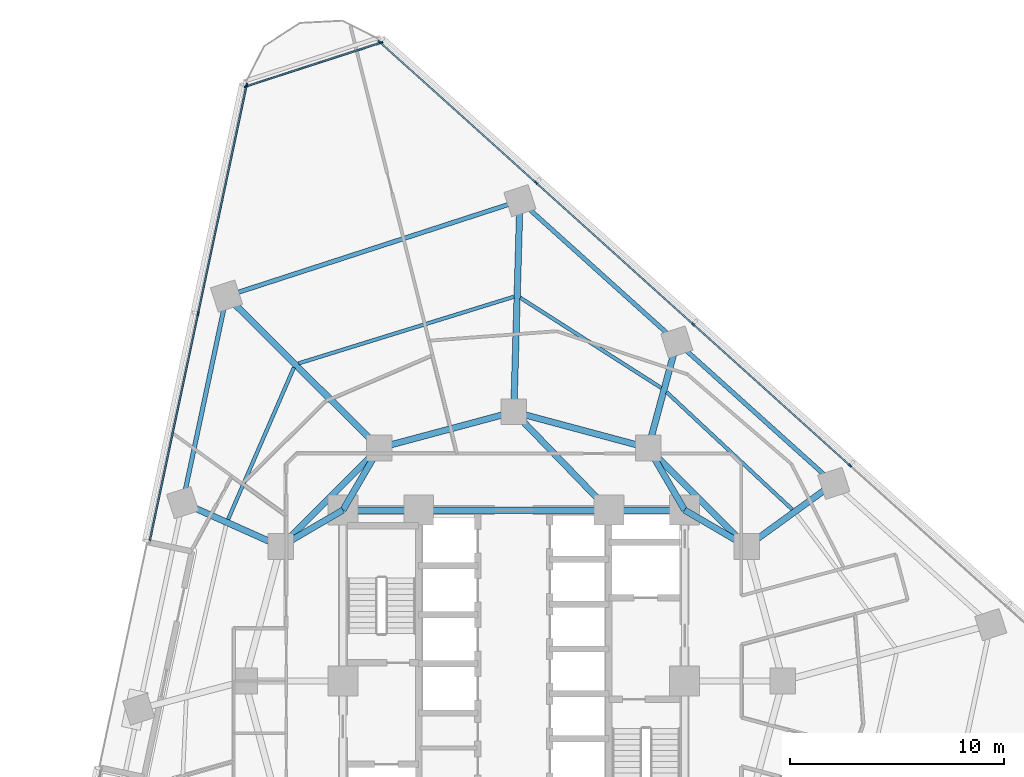
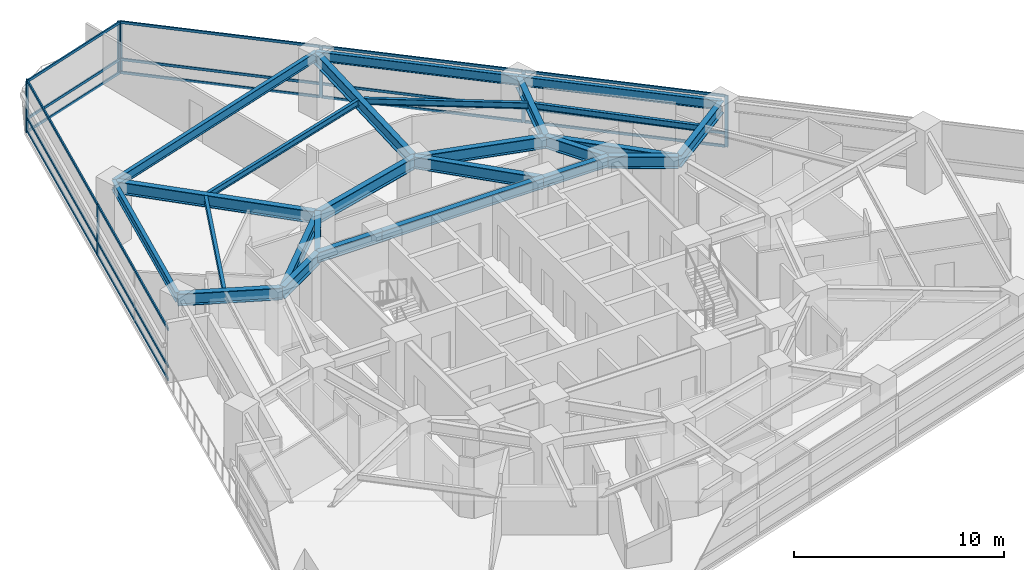
# One storey, part 5 of 14: 26 members, 25 beams, 3 elements without a shape of their own.
"""IFC4 building model written with IfcOpenShell, lengths in metres."""

from ifc_helpers import new_model, si_unit, direction, frame, origin, origin_2d, place, context, subcontext, project, spatial, rectangle, i_section, extrude, material, layer, layer_set, material_profile, profile_set, type_object, element, aggregate, save


model = new_model("IFC4")

# Units and contexts
model_context = context("Model", 3, precision=1e-05, world=origin(), true_north=direction((0.0, 1.0)))
body_context = subcontext(model_context, "Body", "Model", "MODEL_VIEW")
ifc_project = project(units=[si_unit("LENGTHUNIT", "METRE"), si_unit("AREAUNIT", "SQUARE_METRE"), si_unit("VOLUMEUNIT", "CUBIC_METRE"), si_unit("PLANEANGLEUNIT", "RADIAN"), si_unit("MASSUNIT", "GRAM", prefix="KILO")], contexts=[model_context])

# Site, building, storey
site_placement = place(None, origin())
site = spatial("IfcSite", under=ifc_project, at=site_placement, CompositionType="ELEMENT")
building_placement = place(site_placement, origin())
building = spatial("IfcBuilding", under=site, at=building_placement, Name="Terralouvre Media Tower", CompositionType="ELEMENT")
storey_placement = place(building_placement, frame((0.0, 0.0, 112.5)))
storey = spatial("IfcBuildingStorey", under=building, at=storey_placement, Name="L28", CompositionType="ELEMENT", Elevation=112.5)

# Beams
ifc_material_1 = material(Name="Structural steel S355J2", Category="steel")
ifc_material_profile_1 = material_profile(ifc_material_1, i_section(OverallWidth=0.169921875, OverallDepth=0.360107421875, WebThickness=0.008056640625, FlangeThickness=0.0126953125, at=origin_2d()), Name="IPE 360")
ifc_profile_set_1 = profile_set([ifc_material_profile_1], Name="Structural steel S355J2")
beam_type_1 = type_object("IfcBeamType", Name="Composite Floor Joist J-IPE360 (IPE 360)", PredefinedType="JOIST", material=ifc_profile_set_1)
beam_1_placement = place(storey_placement, frame((13.041259765625, 8.02685546875, 3.320068359375), z_axis=(-0.730741620607, 0.682654146631, 0.0), x_axis=(-0.682654146631, -0.730741620607, 0.0)))
element("IfcBeam", 1, at=beam_1_placement, inside=storey, type_object=beam_type_1, Name="L28 Framing Beam JT-L28-08", PredefinedType="JOIST", context=body_context, shape_type="SweptSolid", body=[
    extrude(i_section(OverallWidth=0.169921875, OverallDepth=0.360107421875, WebThickness=0.008056640625, FlangeThickness=0.0126953125, at=origin_2d()), origin(), (0.0, 0.0, 1.0), 8.05224609375),
])
beam_2_placement = place(storey_placement, frame((6.90380859375, 13.721923828125, 3.320068359375), z_axis=(-0.842395313358, 0.538860033805, 0.0), x_axis=(-0.538860033805, -0.842395313358, 0.0)))
element("IfcBeam", 2, at=beam_2_placement, inside=storey, type_object=beam_type_1, Name="L28 Framing Beam JT-L28-09", PredefinedType="JOIST", context=body_context, shape_type="SweptSolid", body=[
    extrude(i_section(OverallWidth=0.169921875, OverallDepth=0.360107421875, WebThickness=0.008056640625, FlangeThickness=0.0126953125, at=origin_2d()), origin(), (0.0, 0.0, 1.0), 7.8349609375),
])
beam_3_placement = place(storey_placement, frame((0.008544921875, 17.99072265625, 3.320068359375), z_axis=(-0.955322607301, -0.295565079095, 0.0), x_axis=(0.295565079095, -0.955322607301, 0.0)))
element("IfcBeam", 3, at=beam_3_placement, inside=storey, type_object=beam_type_1, Name="L28 Framing Beam JT-L28-10", PredefinedType="JOIST", context=body_context, shape_type="SweptSolid", body=[
    extrude(i_section(OverallWidth=0.169921875, OverallDepth=0.360107421875, WebThickness=0.008056640625, FlangeThickness=0.0126953125, at=origin_2d()), origin(), (0.0, 0.0, 1.0), 10.551513671875),
])
beam_4_placement = place(storey_placement, frame((-10.295166015625, 14.676513671875, 3.320068359375), z_axis=(-0.3977895236, -0.91747669993, 0.0), x_axis=(0.91747669993, -0.3977895236, 0.0)))
element("IfcBeam", 4, at=beam_4_placement, inside=storey, type_object=beam_type_1, Name="L28 Framing Beam JT-L28-11", PredefinedType="JOIST", context=body_context, shape_type="SweptSolid", body=[
    extrude(i_section(OverallWidth=0.169921875, OverallDepth=0.360107421875, WebThickness=0.008056640625, FlangeThickness=0.0126953125, at=origin_2d()), origin(), (0.0, 0.0, 1.0), 7.7509765625),
])

# Curtain wall, members
ifc_material_2 = material(Name="Low-iron laminated double glazing with solar-control coating", Category="glass")
ifc_layer_1 = layer(ifc_material_2, 0.1650390625, Name="Lower Media Tower Unitised Curtain Wall CW-02")
ifc_layer_set_1 = layer_set([ifc_layer_1], Name="Low-iron laminated double glazing with solar-control coating")
curtain_wall_type_1 = type_object("IfcCurtainWallType", Name="Lower Media Tower Unitised Curtain Wall CW-02", PredefinedType="NOTDEFINED", material=ifc_layer_set_1)
curtain_wall_1_placement = place(storey_placement, origin())
curtain_wall_1 = element("IfcCurtainWall", 5, at=curtain_wall_1_placement, inside=storey, type_object=curtain_wall_type_1, Name="L28 Facade Curtain Wall F1", PredefinedType="NOTDEFINED")
ifc_material_3 = material(Name="Anodised extruded aluminium 6063-T6", Category="aluminium")
ifc_material_profile_2 = material_profile(ifc_material_3, rectangle(XDim=0.074951171875, YDim=0.14990234375, at=origin_2d()), Name="ALU 75x150")
ifc_profile_set_2 = profile_set([ifc_material_profile_2], Name="Anodised extruded aluminium 6063-T6")
member_type_1 = type_object("IfcMemberType", Name="Curtain-Wall Horizontal Transom TR-150", PredefinedType="USERDEFINED", material=ifc_profile_set_2)
member_1_placement = place(storey_placement, frame((15.712158203125, 10.117431640625, 0.03759765625), z_axis=(-0.743145676677, 0.669129661005, 0.0), x_axis=(-0.669129661005, -0.743145676677, 0.0)))
member_1 = element("IfcMember", 6, at=member_1_placement, type_object=member_type_1, Name="CW-02 transom 3.1", ObjectType="TRANSOM", PredefinedType="USERDEFINED", context=body_context, shape_type="SweptSolid", body=[
    extrude(rectangle(XDim=0.074951171875, YDim=0.14990234375, at=origin_2d()), origin(), (0.0, 0.0, 1.0), 9.81298828125),
])
member_2_placement = place(storey_placement, frame((15.712158203125, 10.117431640625, 0.800048828125), z_axis=(-0.743145676677, 0.669129661005, 0.0), x_axis=(-0.669129661005, -0.743145676677, 0.0)))
member_2 = element("IfcMember", 7, at=member_2_placement, type_object=member_type_1, Name="CW-02 transom 3.2", ObjectType="TRANSOM", PredefinedType="USERDEFINED", context=body_context, shape_type="SweptSolid", body=[
    extrude(rectangle(XDim=0.074951171875, YDim=0.14990234375, at=origin_2d()), origin(), (0.0, 0.0, 1.0), 9.81298828125),
])
member_3_placement = place(storey_placement, frame((15.712158203125, 10.117431640625, 2.96240234375), z_axis=(-0.743145676677, 0.669129661005, 0.0), x_axis=(-0.669129661005, -0.743145676677, 0.0)))
member_3 = element("IfcMember", 8, at=member_3_placement, type_object=member_type_1, Name="CW-02 transom 3.3", ObjectType="TRANSOM", PredefinedType="USERDEFINED", context=body_context, shape_type="SweptSolid", body=[
    extrude(rectangle(XDim=0.074951171875, YDim=0.14990234375, at=origin_2d()), origin(), (0.0, 0.0, 1.0), 9.81298828125),
])
member_4_placement = place(storey_placement, frame((8.36376953125, 16.733642578125, 0.03759765625), z_axis=(-0.743145676677, 0.669129661005, 0.0), x_axis=(-0.669129661005, -0.743145676677, 0.0)))
member_4 = element("IfcMember", 9, at=member_4_placement, type_object=member_type_1, Name="CW-02 transom 4.1", ObjectType="TRANSOM", PredefinedType="USERDEFINED", context=body_context, shape_type="SweptSolid", body=[
    extrude(rectangle(XDim=0.074951171875, YDim=0.14990234375, at=origin_2d()), origin(), (0.0, 0.0, 1.0), 9.81298828125),
])
member_5_placement = place(storey_placement, frame((8.36376953125, 16.733642578125, 0.800048828125), z_axis=(-0.743145676677, 0.669129661005, 0.0), x_axis=(-0.669129661005, -0.743145676677, 0.0)))
member_5 = element("IfcMember", 10, at=member_5_placement, type_object=member_type_1, Name="CW-02 transom 4.2", ObjectType="TRANSOM", PredefinedType="USERDEFINED", context=body_context, shape_type="SweptSolid", body=[
    extrude(rectangle(XDim=0.074951171875, YDim=0.14990234375, at=origin_2d()), origin(), (0.0, 0.0, 1.0), 9.81298828125),
])
member_6_placement = place(storey_placement, frame((8.36376953125, 16.733642578125, 2.96240234375), z_axis=(-0.743145676677, 0.669129661005, 0.0), x_axis=(-0.669129661005, -0.743145676677, 0.0)))
member_6 = element("IfcMember", 11, at=member_6_placement, type_object=member_type_1, Name="CW-02 transom 4.3", ObjectType="TRANSOM", PredefinedType="USERDEFINED", context=body_context, shape_type="SweptSolid", body=[
    extrude(rectangle(XDim=0.074951171875, YDim=0.14990234375, at=origin_2d()), origin(), (0.0, 0.0, 1.0), 9.81298828125),
])
member_7_placement = place(storey_placement, frame((1.015625, 23.35009765625, 0.03759765625), z_axis=(-0.743150075485, 0.669124775588, 0.0), x_axis=(-0.669124775588, -0.743150075485, 0.0)))
member_7 = element("IfcMember", 12, at=member_7_placement, type_object=member_type_1, Name="CW-02 transom 5.1", ObjectType="TRANSOM", PredefinedType="USERDEFINED", context=body_context, shape_type="SweptSolid", body=[
    extrude(rectangle(XDim=0.074951171875, YDim=0.14990234375, at=origin_2d()), origin(), (0.0, 0.0, 1.0), 9.775390625),
])
member_8_placement = place(storey_placement, frame((1.015625, 23.35009765625, 0.800048828125), z_axis=(-0.743150075485, 0.669124775588, 0.0), x_axis=(-0.669124775588, -0.743150075485, 0.0)))
member_8 = element("IfcMember", 13, at=member_8_placement, type_object=member_type_1, Name="CW-02 transom 5.2", ObjectType="TRANSOM", PredefinedType="USERDEFINED", context=body_context, shape_type="SweptSolid", body=[
    extrude(rectangle(XDim=0.074951171875, YDim=0.14990234375, at=origin_2d()), origin(), (0.0, 0.0, 1.0), 9.775390625),
])
member_9_placement = place(storey_placement, frame((1.015625, 23.35009765625, 2.96240234375), z_axis=(-0.743150075485, 0.669124775588, 0.0), x_axis=(-0.669124775588, -0.743150075485, 0.0)))
member_9 = element("IfcMember", 14, at=member_9_placement, type_object=member_type_1, Name="CW-02 transom 5.3", ObjectType="TRANSOM", PredefinedType="USERDEFINED", context=body_context, shape_type="SweptSolid", body=[
    extrude(rectangle(XDim=0.074951171875, YDim=0.14990234375, at=origin_2d()), origin(), (0.0, 0.0, 1.0), 9.775390625),
])

curtain_wall_2_placement = place(storey_placement, origin())
curtain_wall_2 = element("IfcCurtainWall", 15, at=curtain_wall_2_placement, inside=storey, type_object=curtain_wall_type_1, Name="L28 Left Flank Curtain Wall F2", PredefinedType="NOTDEFINED")
member_10_placement = place(storey_placement, frame((-12.51416015625, 27.85546875, 0.03759765625), z_axis=(-0.207896441049, -0.978150842048, 0.0), x_axis=(0.978150842048, -0.207896441049, 0.0)))
member_10 = element("IfcMember", 16, at=member_10_placement, type_object=member_type_1, Name="CW-02 transom 1.1", ObjectType="TRANSOM", PredefinedType="USERDEFINED", context=body_context, shape_type="SweptSolid", body=[
    extrude(rectangle(XDim=0.074951171875, YDim=0.14990234375, at=origin_2d()), origin(), (0.0, 0.0, 1.0), 10.847412109375),
])
member_11_placement = place(storey_placement, frame((-12.51416015625, 27.85546875, 0.800048828125), z_axis=(-0.207896441049, -0.978150842048, 0.0), x_axis=(0.978150842048, -0.207896441049, 0.0)))
member_11 = element("IfcMember", 17, at=member_11_placement, type_object=member_type_1, Name="CW-02 transom 1.2", ObjectType="TRANSOM", PredefinedType="USERDEFINED", context=body_context, shape_type="SweptSolid", body=[
    extrude(rectangle(XDim=0.074951171875, YDim=0.14990234375, at=origin_2d()), origin(), (0.0, 0.0, 1.0), 10.847412109375),
])
member_12_placement = place(storey_placement, frame((-12.51416015625, 27.85546875, 2.96240234375), z_axis=(-0.207896441049, -0.978150842048, 0.0), x_axis=(0.978150842048, -0.207896441049, 0.0)))
member_12 = element("IfcMember", 18, at=member_12_placement, type_object=member_type_1, Name="CW-02 transom 1.3", ObjectType="TRANSOM", PredefinedType="USERDEFINED", context=body_context, shape_type="SweptSolid", body=[
    extrude(rectangle(XDim=0.074951171875, YDim=0.14990234375, at=origin_2d()), origin(), (0.0, 0.0, 1.0), 10.847412109375),
])
member_13_placement = place(storey_placement, frame((-14.784912109375, 17.171630859375, 0.03759765625), z_axis=(-0.20791797505, -0.978146264958, 0.0), x_axis=(0.978146264958, -0.20791797505, 0.0)))
member_13 = element("IfcMember", 19, at=member_13_placement, type_object=member_type_1, Name="CW-02 transom 2.1", ObjectType="TRANSOM", PredefinedType="USERDEFINED", context=body_context, shape_type="SweptSolid", body=[
    extrude(rectangle(XDim=0.074951171875, YDim=0.14990234375, at=origin_2d()), origin(), (0.0, 0.0, 1.0), 10.847412109375),
])
member_14_placement = place(storey_placement, frame((-14.784912109375, 17.171630859375, 0.800048828125), z_axis=(-0.20791797505, -0.978146264958, 0.0), x_axis=(0.978146264958, -0.20791797505, 0.0)))
member_14 = element("IfcMember", 20, at=member_14_placement, type_object=member_type_1, Name="CW-02 transom 2.2", ObjectType="TRANSOM", PredefinedType="USERDEFINED", context=body_context, shape_type="SweptSolid", body=[
    extrude(rectangle(XDim=0.074951171875, YDim=0.14990234375, at=origin_2d()), origin(), (0.0, 0.0, 1.0), 10.847412109375),
])
member_15_placement = place(storey_placement, frame((-14.784912109375, 17.171630859375, 2.96240234375), z_axis=(-0.20791797505, -0.978146264958, 0.0), x_axis=(0.978146264958, -0.20791797505, 0.0)))
member_15 = element("IfcMember", 21, at=member_15_placement, type_object=member_type_1, Name="CW-02 transom 2.3", ObjectType="TRANSOM", PredefinedType="USERDEFINED", context=body_context, shape_type="SweptSolid", body=[
    extrude(rectangle(XDim=0.074951171875, YDim=0.14990234375, at=origin_2d()), origin(), (0.0, 0.0, 1.0), 10.847412109375),
])

ifc_material_4 = material(Name="Low-iron laminated double glazing with solar-control coating", Category="glass")
ifc_layer_2 = layer(ifc_material_4, 0.1650390625, Name="Rounded Wind-Corner Curved Glazing CW-04")
ifc_layer_set_2 = layer_set([ifc_layer_2], Name="Low-iron laminated double glazing with solar-control coating")
curtain_wall_type_2 = type_object("IfcCurtainWallType", Name="Rounded Wind-Corner Curved Glazing CW-04", PredefinedType="NOTDEFINED", material=ifc_layer_set_2)
curtain_wall_3_placement = place(storey_placement, origin())
curtain_wall_3 = element("IfcCurtainWall", 22, at=curtain_wall_3_placement, inside=storey, type_object=curtain_wall_type_2, Name="L28 Rounded Wind-Corner Curtain Wall C2", PredefinedType="NOTDEFINED")
member_16_placement = place(storey_placement, frame((-6.25244140625, 29.874267578125, 0.03759765625), z_axis=(-0.951049086089, -0.309039861262, 0.0), x_axis=(0.309039861262, -0.951049086089, 0.0)))
member_16 = element("IfcMember", 23, at=member_16_placement, type_object=member_type_1, Name="CW-04 transom 1.1", ObjectType="TRANSOM", PredefinedType="USERDEFINED", context=body_context, shape_type="SweptSolid", body=[
    extrude(rectangle(XDim=0.074951171875, YDim=0.14990234375, at=origin_2d()), origin(), (0.0, 0.0, 1.0), 6.5703125),
])
member_17_placement = place(storey_placement, frame((-6.25244140625, 29.874267578125, 0.800048828125), z_axis=(-0.951049086089, -0.309039861262, 0.0), x_axis=(0.309039861262, -0.951049086089, 0.0)))
member_17 = element("IfcMember", 24, at=member_17_placement, type_object=member_type_1, Name="CW-04 transom 1.2", ObjectType="TRANSOM", PredefinedType="USERDEFINED", context=body_context, shape_type="SweptSolid", body=[
    extrude(rectangle(XDim=0.074951171875, YDim=0.14990234375, at=origin_2d()), origin(), (0.0, 0.0, 1.0), 6.5703125),
])
member_18_placement = place(storey_placement, frame((-6.25244140625, 29.874267578125, 2.96240234375), z_axis=(-0.951049086089, -0.309039861262, 0.0), x_axis=(0.309039861262, -0.951049086089, 0.0)))
member_18 = element("IfcMember", 25, at=member_18_placement, type_object=member_type_1, Name="CW-04 transom 1.3", ObjectType="TRANSOM", PredefinedType="USERDEFINED", context=body_context, shape_type="SweptSolid", body=[
    extrude(rectangle(XDim=0.074951171875, YDim=0.14990234375, at=origin_2d()), origin(), (0.0, 0.0, 1.0), 6.5703125),
])

# Member
ifc_material_5 = material(Name="Anodised extruded aluminium 6063-T6", Category="aluminium")
ifc_material_profile_3 = material_profile(ifc_material_5, rectangle(XDim=0.074951171875, YDim=0.179931640625, at=origin_2d()), Name="ALU 75x180")
ifc_profile_set_3 = profile_set([ifc_material_profile_3], Name="Anodised extruded aluminium 6063-T6")
member_type_2 = type_object("IfcMemberType", Name="Curtain-Wall Vertical Mullion ML-180", PredefinedType="MULLION", material=ifc_profile_set_3)
member_19_placement = place(storey_placement, frame((15.739990234375, 10.09228515625, 0.0), z_axis=(0.0, 0.0, 1.0), x_axis=(-0.669130639602, -0.743144795545, 0.0)))
member_19 = element("IfcMember", 26, at=member_19_placement, type_object=member_type_2, Name="CW-02 mullion 3", PredefinedType="MULLION", context=body_context, shape_type="SweptSolid", body=[
    extrude(rectangle(XDim=0.074951171875, YDim=0.179931640625, at=origin_2d()), origin(), (0.0, 0.0, 1.0), 3.0),
])

member_20_placement = place(storey_placement, frame((8.3916015625, 16.708740234375, 0.0), z_axis=(0.0, 0.0, 1.0), x_axis=(-0.669130639602, -0.743144795545, 0.0)))
member_20 = element("IfcMember", 27, at=member_20_placement, type_object=member_type_2, Name="CW-02 mullion 4", PredefinedType="MULLION", context=body_context, shape_type="SweptSolid", body=[
    extrude(rectangle(XDim=0.074951171875, YDim=0.179931640625, at=origin_2d()), origin(), (0.0, 0.0, 1.0), 3.0),
])

member_21_placement = place(storey_placement, frame((1.04345703125, 23.324951171875, 0.0), z_axis=(0.0, 0.0, 1.0), x_axis=(-0.669130639602, -0.743144795545, 0.0)))
member_21 = element("IfcMember", 28, at=member_21_placement, type_object=member_type_2, Name="CW-02 mullion 5", PredefinedType="MULLION", context=body_context, shape_type="SweptSolid", body=[
    extrude(rectangle(XDim=0.074951171875, YDim=0.179931640625, at=origin_2d()), origin(), (0.0, 0.0, 1.0), 3.0),
])

member_22_placement = place(storey_placement, frame((-6.27685546875, 29.916259765625, 0.0), z_axis=(0.0, 0.0, 1.0), x_axis=(-0.669130639602, -0.743144795545, 0.0)))
member_22 = element("IfcMember", 29, at=member_22_placement, type_object=member_type_2, Name="CW-02 mullion 6", PredefinedType="MULLION", context=body_context, shape_type="SweptSolid", body=[
    extrude(rectangle(XDim=0.074951171875, YDim=0.179931640625, at=origin_2d()), origin(), (0.0, 0.0, 1.0), 3.0),
])

aggregate(curtain_wall_1, [member_19, member_20, member_21, member_22, member_1, member_2, member_3, member_4, member_5, member_6, member_7, member_8, member_9])

member_23_placement = place(storey_placement, frame((-12.50634765625, 27.89208984375, 0.0), z_axis=(0.0, 0.0, 1.0), x_axis=(0.978147556561, -0.207911898634, 0.0)))
member_23 = element("IfcMember", 30, at=member_23_placement, type_object=member_type_2, Name="CW-02 mullion 1", PredefinedType="MULLION", context=body_context, shape_type="SweptSolid", body=[
    extrude(rectangle(XDim=0.074951171875, YDim=0.179931640625, at=origin_2d()), origin(), (0.0, 0.0, 1.0), 3.0),
])

member_24_placement = place(storey_placement, frame((-14.777099609375, 17.20849609375, 0.0), z_axis=(0.0, 0.0, 1.0), x_axis=(0.978147556561, -0.207911898634, 0.0)))
member_24 = element("IfcMember", 31, at=member_24_placement, type_object=member_type_2, Name="CW-02 mullion 2", PredefinedType="MULLION", context=body_context, shape_type="SweptSolid", body=[
    extrude(rectangle(XDim=0.074951171875, YDim=0.179931640625, at=origin_2d()), origin(), (0.0, 0.0, 1.0), 3.0),
])

aggregate(curtain_wall_2, [member_23, member_24, member_10, member_11, member_12, member_13, member_14, member_15])

member_25_placement = place(storey_placement, frame((-6.216796875, 29.8857421875, 0.0), z_axis=(0.0, 0.0, 1.0), x_axis=(0.309017701894, -0.951056286408, 0.0)))
member_25 = element("IfcMember", 32, at=member_25_placement, type_object=member_type_2, Name="CW-04 mullion 1", PredefinedType="MULLION", context=body_context, shape_type="SweptSolid", body=[
    extrude(rectangle(XDim=0.074951171875, YDim=0.179931640625, at=origin_2d()), origin(), (0.0, 0.0, 1.0), 3.0),
])

member_26_placement = place(storey_placement, frame((-12.536865234375, 27.832275390625, 0.0), z_axis=(0.0, 0.0, 1.0), x_axis=(0.309017701894, -0.951056286408, 0.0)))
member_26 = element("IfcMember", 33, at=member_26_placement, type_object=member_type_2, Name="CW-04 mullion 2", PredefinedType="MULLION", context=body_context, shape_type="SweptSolid", body=[
    extrude(rectangle(XDim=0.074951171875, YDim=0.179931640625, at=origin_2d()), origin(), (0.0, 0.0, 1.0), 3.0),
])

aggregate(curtain_wall_3, [member_25, member_26, member_16, member_17, member_18])

# Beams
ifc_material_6 = material(Name="Structural steel S355J2", Category="steel")
ifc_material_profile_4 = material_profile(ifc_material_6, i_section(OverallWidth=0.2099609375, OverallDepth=0.550048828125, WebThickness=0.010986328125, FlangeThickness=0.01708984375, at=origin_2d()), Name="IPE 550")
ifc_profile_set_4 = profile_set([ifc_material_profile_4], Name="Structural steel S355J2")
beam_type_2 = type_object("IfcBeamType", Name="Perimeter Spandrel Beam SPB-550 (IPE 550)", PredefinedType="SPANDREL", material=ifc_profile_set_4)
beam_5_placement = place(storey_placement, frame((14.98388671875, 9.25244140625, 3.22509765625), z_axis=(-0.743148033922, 0.669127043002, 0.0), x_axis=(-0.669127043002, -0.743148033922, 0.0)))
element("IfcBeam", 34, at=beam_5_placement, inside=storey, type_object=beam_type_2, Name="L28 Framing Beam BM-L28-PR08", PredefinedType="SPANDREL", context=body_context, shape_type="SweptSolid", body=[
    extrude(i_section(OverallWidth=0.2099609375, OverallDepth=0.550048828125, WebThickness=0.010986328125, FlangeThickness=0.01708984375, at=origin_2d()), origin(), (0.0, 0.0, 1.0), 9.88818359375),
])
beam_6_placement = place(storey_placement, frame((7.635498046875, 15.868896484375, 3.22509765625), z_axis=(-0.743136979084, 0.669139320558, 0.0), x_axis=(-0.669139320558, -0.743136979084, 0.0)))
element("IfcBeam", 35, at=beam_6_placement, inside=storey, type_object=beam_type_2, Name="L28 Framing Beam BM-L28-PR09", PredefinedType="SPANDREL", context=body_context, shape_type="SweptSolid", body=[
    extrude(i_section(OverallWidth=0.2099609375, OverallDepth=0.550048828125, WebThickness=0.010986328125, FlangeThickness=0.01708984375, at=origin_2d()), origin(), (0.0, 0.0, 1.0), 9.887939453125),
])
beam_7_placement = place(storey_placement, frame((0.287353515625, 22.4853515625, 3.22509765625), z_axis=(-0.951052948313, -0.309027975278, 0.0), x_axis=(0.309027975278, -0.951052948313, 0.0)))
element("IfcBeam", 36, at=beam_7_placement, inside=storey, type_object=beam_type_2, Name="L28 Framing Beam BM-L28-PR10", PredefinedType="SPANDREL", context=body_context, shape_type="SweptSolid", body=[
    extrude(i_section(OverallWidth=0.2099609375, OverallDepth=0.550048828125, WebThickness=0.010986328125, FlangeThickness=0.01708984375, at=origin_2d()), origin(), (0.0, 0.0, 1.0), 14.443359375),
])
beam_8_placement = place(storey_placement, frame((-13.448974609375, 18.02197265625, 3.22509765625), z_axis=(-0.207920177572, -0.97814579678, 0.0), x_axis=(0.97814579678, -0.207920177572, 0.0)))
element("IfcBeam", 37, at=beam_8_placement, inside=storey, type_object=beam_type_2, Name="L28 Framing Beam BM-L28-PR11", PredefinedType="SPANDREL", context=body_context, shape_type="SweptSolid", body=[
    extrude(i_section(OverallWidth=0.2099609375, OverallDepth=0.550048828125, WebThickness=0.010986328125, FlangeThickness=0.01708984375, at=origin_2d()), origin(), (0.0, 0.0, 1.0), 9.887939453125),
])
ifc_material_7 = material(Name="Structural steel S460M", Category="steel")
ifc_material_profile_5 = material_profile(ifc_material_7, i_section(OverallWidth=0.300048828125, OverallDepth=0.60009765625, WebThickness=0.015380859375, FlangeThickness=0.030029296875, at=origin_2d()), Name="HEB 600")
ifc_profile_set_5 = profile_set([ifc_material_profile_5], Name="Structural steel S460M")
beam_type_3 = type_object("IfcBeamType", Name="Primary Floor Girder B-HEB600 (HEB 600)", PredefinedType="BEAM", material=ifc_profile_set_5)
beam_9_placement = place(storey_placement, frame((8.0, 8.0, 3.199951171875), z_axis=(-1.0, 0.0, 0.0), x_axis=(0.0, -1.0, 0.0)))
element("IfcBeam", 38, at=beam_9_placement, inside=storey, type_object=beam_type_3, Name="L28 Framing Beam BM-L28-CPR06", PredefinedType="BEAM", context=body_context, shape_type="SweptSolid", body=[
    extrude(i_section(OverallWidth=0.300048828125, OverallDepth=0.60009765625, WebThickness=0.015380859375, FlangeThickness=0.030029296875, at=origin_2d()), origin(), (0.0, 0.0, 1.0), 3.550048828125),
])
beam_10_placement = place(storey_placement, frame((4.449951171875, 8.0, 3.199951171875), z_axis=(-1.0, 0.0, 0.0), x_axis=(0.0, -1.0, 0.0)))
element("IfcBeam", 39, at=beam_10_placement, inside=storey, type_object=beam_type_3, Name="L28 Framing Beam BM-L28-CPR07", PredefinedType="BEAM", context=body_context, shape_type="SweptSolid", body=[
    extrude(i_section(OverallWidth=0.300048828125, OverallDepth=0.60009765625, WebThickness=0.015380859375, FlangeThickness=0.030029296875, at=origin_2d()), origin(), (0.0, 0.0, 1.0), 8.89990234375),
])
beam_11_placement = place(storey_placement, frame((-4.449951171875, 8.0, 3.199951171875), z_axis=(-1.0, 0.0, 0.0), x_axis=(0.0, -1.0, 0.0)))
element("IfcBeam", 40, at=beam_11_placement, inside=storey, type_object=beam_type_3, Name="L28 Framing Beam BM-L28-CPR08", PredefinedType="BEAM", context=body_context, shape_type="SweptSolid", body=[
    extrude(i_section(OverallWidth=0.300048828125, OverallDepth=0.60009765625, WebThickness=0.015380859375, FlangeThickness=0.030029296875, at=origin_2d()), origin(), (0.0, 0.0, 1.0), 3.550048828125),
])
ifc_material_8 = material(Name="Structural steel S460M", Category="steel")
ifc_material_profile_6 = material_profile(ifc_material_8, i_section(OverallWidth=0.300048828125, OverallDepth=0.699951171875, WebThickness=0.01708984375, FlangeThickness=0.031982421875, at=origin_2d()), Name="HEB 700")
ifc_profile_set_6 = profile_set([ifc_material_profile_6], Name="Structural steel S460M")
beam_type_4 = type_object("IfcBeamType", Name="Primary Floor Girder B-HEB700 (HEB 700)", PredefinedType="BEAM", material=ifc_profile_set_6)
beam_12_placement = place(storey_placement, frame((10.911865234375, 6.300048828125, 3.14990234375), z_axis=(-0.707106781187, 0.707106781187, 0.0), x_axis=(-0.707106781187, -0.707106781187, 0.0)))
element("IfcBeam", 41, at=beam_12_placement, inside=storey, type_object=beam_type_4, Name="L28 Framing Beam BM-L28-MR07", PredefinedType="BEAM", context=body_context, shape_type="SweptSolid", body=[
    extrude(i_section(OverallWidth=0.300048828125, OverallDepth=0.699951171875, WebThickness=0.01708984375, FlangeThickness=0.031982421875, at=origin_2d()), origin(), (0.0, 0.0, 1.0), 6.52197265625),
])
for number, where, z_axis, x_axis, name in (
    (42, (6.300048828125, 10.911865234375, 3.14990234375), (-0.965920481897, 0.258838989821, 0.0), (-0.258838989821, -0.965920481897, 0.0), "L28 Framing Beam BM-L28-MR08"),
    (43, (0.0, 12.60009765625, 3.14990234375), (-0.965920481897, -0.258838989821, 0.0), (0.258838989821, -0.965920481897, 0.0), "L28 Framing Beam BM-L28-MR09"),
):
    element("IfcBeam", number, at=place(storey_placement, frame(where, z_axis=z_axis, x_axis=x_axis)), inside=storey, type_object=beam_type_4, Name=name, PredefinedType="BEAM", context=body_context, shape_type="SweptSolid", body=[
        extrude(i_section(OverallWidth=0.300048828125, OverallDepth=0.699951171875, WebThickness=0.01708984375, FlangeThickness=0.031982421875, at=origin_2d()), origin(), (0.0, 0.0, 1.0), 6.522216796875),
    ])
beam_13_placement = place(storey_placement, frame((-6.300048828125, 10.911865234375, 3.14990234375), z_axis=(-0.707106781187, -0.707106781187, 0.0), x_axis=(0.707106781187, -0.707106781187, 0.0)))
element("IfcBeam", 44, at=beam_13_placement, inside=storey, type_object=beam_type_4, Name="L28 Framing Beam BM-L28-MR10", PredefinedType="BEAM", context=body_context, shape_type="SweptSolid", body=[
    extrude(i_section(OverallWidth=0.300048828125, OverallDepth=0.699951171875, WebThickness=0.01708984375, FlangeThickness=0.031982421875, at=origin_2d()), origin(), (0.0, 0.0, 1.0), 6.52197265625),
])
for number, where, z_axis, x_axis, name in (
    (45, (8.0, 8.0, 3.14990234375), (0.863602894532, -0.504172629717, 0.0), (0.504172629717, 0.863602894532, 0.0), "L28 Framing Beam BM-L28-CM07"),
    (46, (8.0, 8.0, 3.14990234375), (-0.504172629717, 0.863602894532, 0.0), (-0.863602894532, -0.504172629717, 0.0), "L28 Framing Beam BM-L28-CM08"),
):
    element("IfcBeam", number, at=place(storey_placement, frame(where, z_axis=z_axis, x_axis=x_axis)), inside=storey, type_object=beam_type_4, Name=name, PredefinedType="BEAM", context=body_context, shape_type="SweptSolid", body=[
        extrude(i_section(OverallWidth=0.300048828125, OverallDepth=0.699951171875, WebThickness=0.01708984375, FlangeThickness=0.031982421875, at=origin_2d()), origin(), (0.0, 0.0, 1.0), 3.371826171875),
    ])
beam_14_placement = place(storey_placement, frame((4.449951171875, 8.0, 3.14990234375), z_axis=(-0.695279715726, 0.718739255155, 0.0), x_axis=(-0.718739255155, -0.695279715726, 0.0)))
element("IfcBeam", 47, at=beam_14_placement, inside=storey, type_object=beam_type_4, Name="L28 Framing Beam BM-L28-CM09", PredefinedType="BEAM", context=body_context, shape_type="SweptSolid", body=[
    extrude(i_section(OverallWidth=0.300048828125, OverallDepth=0.699951171875, WebThickness=0.01708984375, FlangeThickness=0.031982421875, at=origin_2d()), origin(), (0.0, 0.0, 1.0), 6.400146484375),
])
for number, where, z_axis, x_axis, name in (
    (48, (-8.0, 8.0, 3.14990234375), (0.504172629717, 0.863602894532, 0.0), (-0.863602894532, 0.504172629717, 0.0), "L28 Framing Beam BM-L28-CM10"),
    (49, (-8.0, 8.0, 3.14990234375), (-0.863602894532, -0.504172629717, 0.0), (0.504172629717, -0.863602894532, 0.0), "L28 Framing Beam BM-L28-CM11"),
):
    element("IfcBeam", number, at=place(storey_placement, frame(where, z_axis=z_axis, x_axis=x_axis)), inside=storey, type_object=beam_type_4, Name=name, PredefinedType="BEAM", context=body_context, shape_type="SweptSolid", body=[
        extrude(i_section(OverallWidth=0.300048828125, OverallDepth=0.699951171875, WebThickness=0.01708984375, FlangeThickness=0.031982421875, at=origin_2d()), origin(), (0.0, 0.0, 1.0), 3.371826171875),
    ])
beam_15_placement = place(storey_placement, frame((10.911865234375, 6.300048828125, 3.14990234375), z_axis=(0.809593719636, 0.586990638022, 0.0), x_axis=(-0.586990638022, 0.809593719636, 0.0)))
element("IfcBeam", 50, at=beam_15_placement, inside=storey, type_object=beam_type_4, Name="L28 Framing Beam BM-L28-RD08", PredefinedType="BEAM", context=body_context, shape_type="SweptSolid", body=[
    extrude(i_section(OverallWidth=0.300048828125, OverallDepth=0.699951171875, WebThickness=0.01708984375, FlangeThickness=0.031982421875, at=origin_2d()), origin(), (0.0, 0.0, 1.0), 5.02978515625),
])
beam_16_placement = place(storey_placement, frame((6.300048828125, 10.911865234375, 3.14990234375), z_axis=(0.260130371447, 0.96557350308, 0.0), x_axis=(-0.96557350308, 0.260130371447, 0.0)))
element("IfcBeam", 51, at=beam_16_placement, inside=storey, type_object=beam_type_4, Name="L28 Framing Beam BM-L28-RD09", PredefinedType="BEAM", context=body_context, shape_type="SweptSolid", body=[
    extrude(i_section(OverallWidth=0.300048828125, OverallDepth=0.699951171875, WebThickness=0.01708984375, FlangeThickness=0.031982421875, at=origin_2d()), origin(), (0.0, 0.0, 1.0), 5.1337890625),
])
beam_17_placement = place(storey_placement, frame((0.0, 12.60009765625, 3.14990234375), z_axis=(0.029056632049, 0.999577766927, 0.0), x_axis=(-0.999577766927, 0.029056632049, 0.0)))
element("IfcBeam", 52, at=beam_17_placement, inside=storey, type_object=beam_type_4, Name="L28 Framing Beam BM-L28-RD10", PredefinedType="BEAM", context=body_context, shape_type="SweptSolid", body=[
    extrude(i_section(OverallWidth=0.300048828125, OverallDepth=0.699951171875, WebThickness=0.01708984375, FlangeThickness=0.031982421875, at=origin_2d()), origin(), (0.0, 0.0, 1.0), 9.889404296875),
])
beam_18_placement = place(storey_placement, frame((-6.300048828125, 10.911865234375, 3.14990234375), z_axis=(-0.709029159826, 0.705179161998, 0.0), x_axis=(-0.705179161998, -0.709029159826, 0.0)))
element("IfcBeam", 53, at=beam_18_placement, inside=storey, type_object=beam_type_4, Name="L28 Framing Beam BM-L28-RD11", PredefinedType="BEAM", context=body_context, shape_type="SweptSolid", body=[
    extrude(i_section(OverallWidth=0.300048828125, OverallDepth=0.699951171875, WebThickness=0.01708984375, FlangeThickness=0.031982421875, at=origin_2d()), origin(), (0.0, 0.0, 1.0), 10.082763671875),
])
beam_19_placement = place(storey_placement, frame((-10.911865234375, 6.300048828125, 3.14990234375), z_axis=(-0.913167886247, 0.407583625196, 0.0), x_axis=(-0.407583625196, -0.913167886247, 0.0)))
element("IfcBeam", 54, at=beam_19_placement, inside=storey, type_object=beam_type_4, Name="L28 Framing Beam BM-L28-RD12", PredefinedType="BEAM", context=body_context, shape_type="SweptSolid", body=[
    extrude(i_section(OverallWidth=0.300048828125, OverallDepth=0.699951171875, WebThickness=0.01708984375, FlangeThickness=0.031982421875, at=origin_2d()), origin(), (0.0, 0.0, 1.0), 5.02978515625),
])

save(model, "model.ifc")
